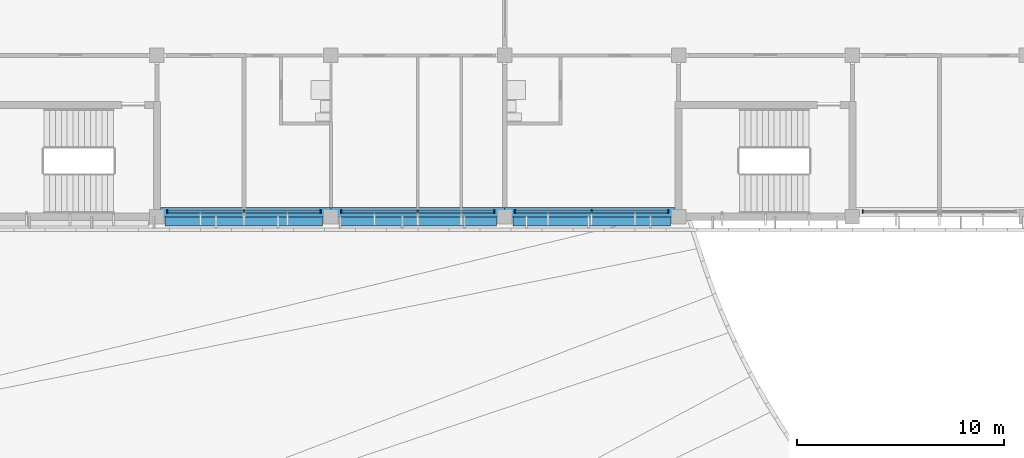
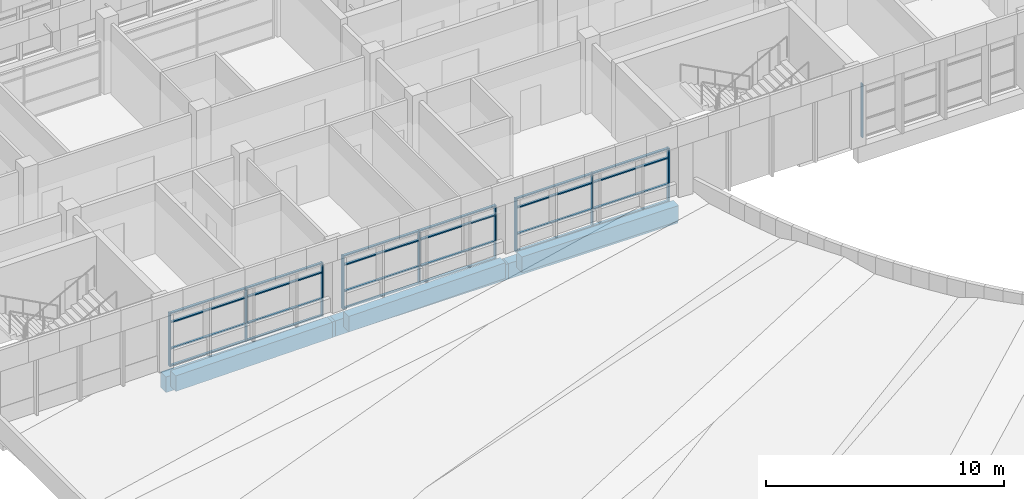
# One storey, part 2 of 74: 34 members, 6 beams, 4 elements without a shape of their own.
"""IFC4 building model written with IfcOpenShell, lengths in metres."""

from ifc_helpers import new_model, si_unit, direction, frame, origin, origin_2d, place, context, subcontext, project, spatial, rectangle, extrude, material, material_profile, profile_set, type_object, element, aggregate, save


model = new_model("IFC4")

# Units and contexts
model_context = context("Model", 3, precision=1e-05, world=origin(), true_north=direction((0.0, 1.0)))
body_context = subcontext(model_context, "Body", "Model", "MODEL_VIEW")
ifc_project = project(units=[si_unit("LENGTHUNIT", "METRE"), si_unit("AREAUNIT", "SQUARE_METRE"), si_unit("VOLUMEUNIT", "CUBIC_METRE"), si_unit("PLANEANGLEUNIT", "RADIAN"), si_unit("MASSUNIT", "GRAM", prefix="KILO")], contexts=[model_context])

# Site, building, storey
site_placement = place(None, origin())
site = spatial("IfcSite", under=ifc_project, at=site_placement, CompositionType="ELEMENT")
building_placement = place(site_placement, origin())
building = spatial("IfcBuilding", under=site, at=building_placement, Name="Bougainvillea Quay General Hospital", CompositionType="ELEMENT")
storey_placement = place(building_placement, frame((0.0, 0.0, 21.0)))
storey = spatial("IfcBuildingStorey", under=building, at=storey_placement, Name="L04", CompositionType="ELEMENT", Elevation=21.0)

# Curtain wall, members
ifc_material_1 = material(Name="Aluminium curtain wall system, powder-coated glazed", Category="aluminium")
curtain_wall_type = type_object("IfcCurtainWallType", Name="Unitised curtain wall CW-3730", PredefinedType="NOTDEFINED", material=ifc_material_1)
curtain_wall_1_placement = place(storey_placement, origin())
curtain_wall_1 = element("IfcCurtainWall", 1, at=curtain_wall_1_placement, inside=storey, type_object=curtain_wall_type, Name="CW-4200 00", PredefinedType="NOTDEFINED")
ifc_material_2 = material(Name="Aluminium mullion, powder-coated charcoal", Category="aluminium")
ifc_material_profile_1 = material_profile(ifc_material_2, rectangle(XDim=0.159912109375, YDim=0.06005859375, at=origin_2d()))
ifc_profile_set_1 = profile_set([ifc_material_profile_1], Name="Aluminium mullion, powder-coated charcoal")
member_type_1 = type_object("IfcMemberType", Name="Curtain wall mullion 160x60", PredefinedType="MULLION", material=ifc_profile_set_1)
member_1_placement = place(storey_placement, frame((50.89990234375, 117.85009765625, 0.0), z_axis=(0.0, 0.0, 1.0), x_axis=(0.0, 1.0, 0.0)))
member_1 = element("IfcMember", 2, at=member_1_placement, type_object=member_type_1, Name="CW-4200 mullion 1", PredefinedType="MULLION", context=body_context, shape_type="SweptSolid", body=[
    extrude(rectangle(XDim=0.159912109375, YDim=0.06005859375, at=origin_2d()), origin(), (0.0, 0.0, 1.0), 2.75),
])
member_2_placement = place(storey_placement, frame((54.60009765625, 117.85009765625, 0.0), z_axis=(0.0, 0.0, 1.0), x_axis=(0.0, 1.0, 0.0)))
member_2 = element("IfcMember", 3, at=member_2_placement, type_object=member_type_1, Name="CW-4200 mullion 2", PredefinedType="MULLION", context=body_context, shape_type="SweptSolid", body=[
    extrude(rectangle(XDim=0.159912109375, YDim=0.06005859375, at=origin_2d()), origin(), (0.0, 0.0, 1.0), 2.75),
])
member_3_placement = place(storey_placement, frame((58.300048828125, 117.85009765625, 0.0), z_axis=(0.0, 0.0, 1.0), x_axis=(0.0, 1.0, 0.0)))
member_3 = element("IfcMember", 4, at=member_3_placement, type_object=member_type_1, Name="CW-4200 mullion 3", PredefinedType="MULLION", context=body_context, shape_type="SweptSolid", body=[
    extrude(rectangle(XDim=0.159912109375, YDim=0.06005859375, at=origin_2d()), origin(), (0.0, 0.0, 1.0), 2.75),
])

curtain_wall_2_placement = place(storey_placement, origin())
curtain_wall_2 = element("IfcCurtainWall", 5, at=curtain_wall_2_placement, inside=storey, type_object=curtain_wall_type, Name="CW-4200 01", PredefinedType="NOTDEFINED")
member_4_placement = place(storey_placement, frame((59.300048828125, 117.85009765625, 0.0), z_axis=(0.0, 0.0, 1.0), x_axis=(0.0, 1.0, 0.0)))
member_4 = element("IfcMember", 6, at=member_4_placement, type_object=member_type_1, Name="CW-4200 mullion 1", PredefinedType="MULLION", context=body_context, shape_type="SweptSolid", body=[
    extrude(rectangle(XDim=0.159912109375, YDim=0.06005859375, at=origin_2d()), origin(), (0.0, 0.0, 1.0), 2.75),
])
member_5_placement = place(storey_placement, frame((63.0, 117.85009765625, 0.0), z_axis=(0.0, 0.0, 1.0), x_axis=(0.0, 1.0, 0.0)))
member_5 = element("IfcMember", 7, at=member_5_placement, type_object=member_type_1, Name="CW-4200 mullion 2", PredefinedType="MULLION", context=body_context, shape_type="SweptSolid", body=[
    extrude(rectangle(XDim=0.159912109375, YDim=0.06005859375, at=origin_2d()), origin(), (0.0, 0.0, 1.0), 2.75),
])
member_6_placement = place(storey_placement, frame((66.699951171875, 117.85009765625, 0.0), z_axis=(0.0, 0.0, 1.0), x_axis=(0.0, 1.0, 0.0)))
member_6 = element("IfcMember", 8, at=member_6_placement, type_object=member_type_1, Name="CW-4200 mullion 3", PredefinedType="MULLION", context=body_context, shape_type="SweptSolid", body=[
    extrude(rectangle(XDim=0.159912109375, YDim=0.06005859375, at=origin_2d()), origin(), (0.0, 0.0, 1.0), 2.75),
])

curtain_wall_3_placement = place(storey_placement, origin())
curtain_wall_3 = element("IfcCurtainWall", 9, at=curtain_wall_3_placement, inside=storey, type_object=curtain_wall_type, Name="CW-4200 02", PredefinedType="NOTDEFINED")
member_7_placement = place(storey_placement, frame((67.699951171875, 117.85009765625, 0.0), z_axis=(0.0, 0.0, 1.0), x_axis=(0.0, 1.0, 0.0)))
member_7 = element("IfcMember", 10, at=member_7_placement, type_object=member_type_1, Name="CW-4200 mullion 1", PredefinedType="MULLION", context=body_context, shape_type="SweptSolid", body=[
    extrude(rectangle(XDim=0.159912109375, YDim=0.06005859375, at=origin_2d()), origin(), (0.0, 0.0, 1.0), 2.75),
])
member_8_placement = place(storey_placement, frame((71.39990234375, 117.85009765625, 0.0), z_axis=(0.0, 0.0, 1.0), x_axis=(0.0, 1.0, 0.0)))
member_8 = element("IfcMember", 11, at=member_8_placement, type_object=member_type_1, Name="CW-4200 mullion 2", PredefinedType="MULLION", context=body_context, shape_type="SweptSolid", body=[
    extrude(rectangle(XDim=0.159912109375, YDim=0.06005859375, at=origin_2d()), origin(), (0.0, 0.0, 1.0), 2.75),
])
member_9_placement = place(storey_placement, frame((75.10009765625, 117.85009765625, 0.0), z_axis=(0.0, 0.0, 1.0), x_axis=(0.0, 1.0, 0.0)))
member_9 = element("IfcMember", 12, at=member_9_placement, type_object=member_type_1, Name="CW-4200 mullion 3", PredefinedType="MULLION", context=body_context, shape_type="SweptSolid", body=[
    extrude(rectangle(XDim=0.159912109375, YDim=0.06005859375, at=origin_2d()), origin(), (0.0, 0.0, 1.0), 2.75),
])

# Curtain wall, member
curtain_wall_4_placement = place(storey_placement, origin())
curtain_wall_4 = element("IfcCurtainWall", 13, at=curtain_wall_4_placement, inside=storey, type_object=curtain_wall_type, Name="CW-4200 03", PredefinedType="NOTDEFINED")
member_10_placement = place(storey_placement, frame((84.5, 117.85009765625, 0.0), z_axis=(0.0, 0.0, 1.0), x_axis=(0.0, 1.0, 0.0)))
member_10 = element("IfcMember", 14, at=member_10_placement, type_object=member_type_1, Name="CW-4200 mullion 1", PredefinedType="MULLION", context=body_context, shape_type="SweptSolid", body=[
    extrude(rectangle(XDim=0.159912109375, YDim=0.06005859375, at=origin_2d()), origin(), (0.0, 0.0, 1.0), 2.75),
])
aggregate(curtain_wall_4, [member_10])

# Member
ifc_material_3 = material(Name="Aluminium transom, powder-coated charcoal", Category="aluminium")
ifc_material_profile_2 = material_profile(ifc_material_3, rectangle(XDim=0.1201171875, YDim=0.06005859375, at=origin_2d()))
ifc_profile_set_2 = profile_set([ifc_material_profile_2], Name="Aluminium transom, powder-coated charcoal")
member_type_2 = type_object("IfcMemberType", Name="Curtain wall transom 120x60", PredefinedType="USERDEFINED", material=ifc_profile_set_2)
member_11_placement = place(storey_placement, frame((50.929931640625, 117.85009765625, 0.030029296875), z_axis=(1.0, 0.0, 0.0), x_axis=(0.0, 1.0, 0.0)))
member_11 = element("IfcMember", 15, at=member_11_placement, type_object=member_type_2, Name="CW-4200 transom 1.1", ObjectType="TRANSOM", PredefinedType="USERDEFINED", context=body_context, shape_type="SweptSolid", body=[
    extrude(rectangle(XDim=0.1201171875, YDim=0.06005859375, at=origin_2d()), origin(), (0.0, 0.0, 1.0), 3.64013671875),
])

member_12_placement = place(storey_placement, frame((50.929931640625, 117.85009765625, 0.89990234375), z_axis=(1.0, 0.0, 0.0), x_axis=(0.0, 1.0, 0.0)))
member_12 = element("IfcMember", 16, at=member_12_placement, type_object=member_type_2, Name="CW-4200 transom 1.2", ObjectType="TRANSOM", PredefinedType="USERDEFINED", context=body_context, shape_type="SweptSolid", body=[
    extrude(rectangle(XDim=0.1201171875, YDim=0.06005859375, at=origin_2d()), origin(), (0.0, 0.0, 1.0), 3.64013671875),
])

member_13_placement = place(storey_placement, frame((50.929931640625, 117.85009765625, 2.25), z_axis=(1.0, 0.0, 0.0), x_axis=(0.0, 1.0, 0.0)))
member_13 = element("IfcMember", 17, at=member_13_placement, type_object=member_type_2, Name="CW-4200 transom 1.3", ObjectType="TRANSOM", PredefinedType="USERDEFINED", context=body_context, shape_type="SweptSolid", body=[
    extrude(rectangle(XDim=0.1201171875, YDim=0.06005859375, at=origin_2d()), origin(), (0.0, 0.0, 1.0), 3.64013671875),
])

member_14_placement = place(storey_placement, frame((50.929931640625, 117.85009765625, 2.719970703125), z_axis=(1.0, 0.0, 0.0), x_axis=(0.0, 1.0, 0.0)))
member_14 = element("IfcMember", 18, at=member_14_placement, type_object=member_type_2, Name="CW-4200 transom 1.4", ObjectType="TRANSOM", PredefinedType="USERDEFINED", context=body_context, shape_type="SweptSolid", body=[
    extrude(rectangle(XDim=0.1201171875, YDim=0.06005859375, at=origin_2d()), origin(), (0.0, 0.0, 1.0), 3.64013671875),
])

member_15_placement = place(storey_placement, frame((54.6298828125, 117.85009765625, 0.030029296875), z_axis=(1.0, 0.0, 0.0), x_axis=(0.0, 1.0, 0.0)))
member_15 = element("IfcMember", 19, at=member_15_placement, type_object=member_type_2, Name="CW-4200 transom 2.1", ObjectType="TRANSOM", PredefinedType="USERDEFINED", context=body_context, shape_type="SweptSolid", body=[
    extrude(rectangle(XDim=0.1201171875, YDim=0.06005859375, at=origin_2d()), origin(), (0.0, 0.0, 1.0), 3.64013671875),
])

member_16_placement = place(storey_placement, frame((54.6298828125, 117.85009765625, 0.89990234375), z_axis=(1.0, 0.0, 0.0), x_axis=(0.0, 1.0, 0.0)))
member_16 = element("IfcMember", 20, at=member_16_placement, type_object=member_type_2, Name="CW-4200 transom 2.2", ObjectType="TRANSOM", PredefinedType="USERDEFINED", context=body_context, shape_type="SweptSolid", body=[
    extrude(rectangle(XDim=0.1201171875, YDim=0.06005859375, at=origin_2d()), origin(), (0.0, 0.0, 1.0), 3.64013671875),
])

member_17_placement = place(storey_placement, frame((54.6298828125, 117.85009765625, 2.25), z_axis=(1.0, 0.0, 0.0), x_axis=(0.0, 1.0, 0.0)))
member_17 = element("IfcMember", 21, at=member_17_placement, type_object=member_type_2, Name="CW-4200 transom 2.3", ObjectType="TRANSOM", PredefinedType="USERDEFINED", context=body_context, shape_type="SweptSolid", body=[
    extrude(rectangle(XDim=0.1201171875, YDim=0.06005859375, at=origin_2d()), origin(), (0.0, 0.0, 1.0), 3.64013671875),
])

member_18_placement = place(storey_placement, frame((54.6298828125, 117.85009765625, 2.719970703125), z_axis=(1.0, 0.0, 0.0), x_axis=(0.0, 1.0, 0.0)))
member_18 = element("IfcMember", 22, at=member_18_placement, type_object=member_type_2, Name="CW-4200 transom 2.4", ObjectType="TRANSOM", PredefinedType="USERDEFINED", context=body_context, shape_type="SweptSolid", body=[
    extrude(rectangle(XDim=0.1201171875, YDim=0.06005859375, at=origin_2d()), origin(), (0.0, 0.0, 1.0), 3.64013671875),
])

aggregate(curtain_wall_1, [member_1, member_2, member_3, member_11, member_12, member_13, member_14, member_15, member_16, member_17, member_18])

member_19_placement = place(storey_placement, frame((59.330078125, 117.85009765625, 0.030029296875), z_axis=(1.0, 0.0, 0.0), x_axis=(0.0, 1.0, 0.0)))
member_19 = element("IfcMember", 23, at=member_19_placement, type_object=member_type_2, Name="CW-4200 transom 1.1", ObjectType="TRANSOM", PredefinedType="USERDEFINED", context=body_context, shape_type="SweptSolid", body=[
    extrude(rectangle(XDim=0.1201171875, YDim=0.06005859375, at=origin_2d()), origin(), (0.0, 0.0, 1.0), 3.639892578125),
])

member_20_placement = place(storey_placement, frame((59.330078125, 117.85009765625, 0.89990234375), z_axis=(1.0, 0.0, 0.0), x_axis=(0.0, 1.0, 0.0)))
member_20 = element("IfcMember", 24, at=member_20_placement, type_object=member_type_2, Name="CW-4200 transom 1.2", ObjectType="TRANSOM", PredefinedType="USERDEFINED", context=body_context, shape_type="SweptSolid", body=[
    extrude(rectangle(XDim=0.1201171875, YDim=0.06005859375, at=origin_2d()), origin(), (0.0, 0.0, 1.0), 3.639892578125),
])

member_21_placement = place(storey_placement, frame((59.330078125, 117.85009765625, 2.25), z_axis=(1.0, 0.0, 0.0), x_axis=(0.0, 1.0, 0.0)))
member_21 = element("IfcMember", 25, at=member_21_placement, type_object=member_type_2, Name="CW-4200 transom 1.3", ObjectType="TRANSOM", PredefinedType="USERDEFINED", context=body_context, shape_type="SweptSolid", body=[
    extrude(rectangle(XDim=0.1201171875, YDim=0.06005859375, at=origin_2d()), origin(), (0.0, 0.0, 1.0), 3.639892578125),
])

member_22_placement = place(storey_placement, frame((59.330078125, 117.85009765625, 2.719970703125), z_axis=(1.0, 0.0, 0.0), x_axis=(0.0, 1.0, 0.0)))
member_22 = element("IfcMember", 26, at=member_22_placement, type_object=member_type_2, Name="CW-4200 transom 1.4", ObjectType="TRANSOM", PredefinedType="USERDEFINED", context=body_context, shape_type="SweptSolid", body=[
    extrude(rectangle(XDim=0.1201171875, YDim=0.06005859375, at=origin_2d()), origin(), (0.0, 0.0, 1.0), 3.639892578125),
])

member_23_placement = place(storey_placement, frame((63.030029296875, 117.85009765625, 0.030029296875), z_axis=(1.0, 0.0, 0.0), x_axis=(0.0, 1.0, 0.0)))
member_23 = element("IfcMember", 27, at=member_23_placement, type_object=member_type_2, Name="CW-4200 transom 2.1", ObjectType="TRANSOM", PredefinedType="USERDEFINED", context=body_context, shape_type="SweptSolid", body=[
    extrude(rectangle(XDim=0.1201171875, YDim=0.06005859375, at=origin_2d()), origin(), (0.0, 0.0, 1.0), 3.639892578125),
])

member_24_placement = place(storey_placement, frame((63.030029296875, 117.85009765625, 0.89990234375), z_axis=(1.0, 0.0, 0.0), x_axis=(0.0, 1.0, 0.0)))
member_24 = element("IfcMember", 28, at=member_24_placement, type_object=member_type_2, Name="CW-4200 transom 2.2", ObjectType="TRANSOM", PredefinedType="USERDEFINED", context=body_context, shape_type="SweptSolid", body=[
    extrude(rectangle(XDim=0.1201171875, YDim=0.06005859375, at=origin_2d()), origin(), (0.0, 0.0, 1.0), 3.639892578125),
])

member_25_placement = place(storey_placement, frame((63.030029296875, 117.85009765625, 2.25), z_axis=(1.0, 0.0, 0.0), x_axis=(0.0, 1.0, 0.0)))
member_25 = element("IfcMember", 29, at=member_25_placement, type_object=member_type_2, Name="CW-4200 transom 2.3", ObjectType="TRANSOM", PredefinedType="USERDEFINED", context=body_context, shape_type="SweptSolid", body=[
    extrude(rectangle(XDim=0.1201171875, YDim=0.06005859375, at=origin_2d()), origin(), (0.0, 0.0, 1.0), 3.639892578125),
])

member_26_placement = place(storey_placement, frame((63.030029296875, 117.85009765625, 2.719970703125), z_axis=(1.0, 0.0, 0.0), x_axis=(0.0, 1.0, 0.0)))
member_26 = element("IfcMember", 30, at=member_26_placement, type_object=member_type_2, Name="CW-4200 transom 2.4", ObjectType="TRANSOM", PredefinedType="USERDEFINED", context=body_context, shape_type="SweptSolid", body=[
    extrude(rectangle(XDim=0.1201171875, YDim=0.06005859375, at=origin_2d()), origin(), (0.0, 0.0, 1.0), 3.639892578125),
])

aggregate(curtain_wall_2, [member_4, member_5, member_6, member_19, member_20, member_21, member_22, member_23, member_24, member_25, member_26])

member_27_placement = place(storey_placement, frame((67.72998046875, 117.85009765625, 0.030029296875), z_axis=(1.0, 0.0, 0.0), x_axis=(0.0, 1.0, 0.0)))
member_27 = element("IfcMember", 31, at=member_27_placement, type_object=member_type_2, Name="CW-4200 transom 1.1", ObjectType="TRANSOM", PredefinedType="USERDEFINED", context=body_context, shape_type="SweptSolid", body=[
    extrude(rectangle(XDim=0.1201171875, YDim=0.06005859375, at=origin_2d()), origin(), (0.0, 0.0, 1.0), 3.64013671875),
])

member_28_placement = place(storey_placement, frame((67.72998046875, 117.85009765625, 0.89990234375), z_axis=(1.0, 0.0, 0.0), x_axis=(0.0, 1.0, 0.0)))
member_28 = element("IfcMember", 32, at=member_28_placement, type_object=member_type_2, Name="CW-4200 transom 1.2", ObjectType="TRANSOM", PredefinedType="USERDEFINED", context=body_context, shape_type="SweptSolid", body=[
    extrude(rectangle(XDim=0.1201171875, YDim=0.06005859375, at=origin_2d()), origin(), (0.0, 0.0, 1.0), 3.64013671875),
])

member_29_placement = place(storey_placement, frame((67.72998046875, 117.85009765625, 2.25), z_axis=(1.0, 0.0, 0.0), x_axis=(0.0, 1.0, 0.0)))
member_29 = element("IfcMember", 33, at=member_29_placement, type_object=member_type_2, Name="CW-4200 transom 1.3", ObjectType="TRANSOM", PredefinedType="USERDEFINED", context=body_context, shape_type="SweptSolid", body=[
    extrude(rectangle(XDim=0.1201171875, YDim=0.06005859375, at=origin_2d()), origin(), (0.0, 0.0, 1.0), 3.64013671875),
])

member_30_placement = place(storey_placement, frame((67.72998046875, 117.85009765625, 2.719970703125), z_axis=(1.0, 0.0, 0.0), x_axis=(0.0, 1.0, 0.0)))
member_30 = element("IfcMember", 34, at=member_30_placement, type_object=member_type_2, Name="CW-4200 transom 1.4", ObjectType="TRANSOM", PredefinedType="USERDEFINED", context=body_context, shape_type="SweptSolid", body=[
    extrude(rectangle(XDim=0.1201171875, YDim=0.06005859375, at=origin_2d()), origin(), (0.0, 0.0, 1.0), 3.64013671875),
])

member_31_placement = place(storey_placement, frame((71.429931640625, 117.85009765625, 0.030029296875), z_axis=(1.0, 0.0, 0.0), x_axis=(0.0, 1.0, 0.0)))
member_31 = element("IfcMember", 35, at=member_31_placement, type_object=member_type_2, Name="CW-4200 transom 2.1", ObjectType="TRANSOM", PredefinedType="USERDEFINED", context=body_context, shape_type="SweptSolid", body=[
    extrude(rectangle(XDim=0.1201171875, YDim=0.06005859375, at=origin_2d()), origin(), (0.0, 0.0, 1.0), 3.64013671875),
])

member_32_placement = place(storey_placement, frame((71.429931640625, 117.85009765625, 0.89990234375), z_axis=(1.0, 0.0, 0.0), x_axis=(0.0, 1.0, 0.0)))
member_32 = element("IfcMember", 36, at=member_32_placement, type_object=member_type_2, Name="CW-4200 transom 2.2", ObjectType="TRANSOM", PredefinedType="USERDEFINED", context=body_context, shape_type="SweptSolid", body=[
    extrude(rectangle(XDim=0.1201171875, YDim=0.06005859375, at=origin_2d()), origin(), (0.0, 0.0, 1.0), 3.64013671875),
])

member_33_placement = place(storey_placement, frame((71.429931640625, 117.85009765625, 2.25), z_axis=(1.0, 0.0, 0.0), x_axis=(0.0, 1.0, 0.0)))
member_33 = element("IfcMember", 37, at=member_33_placement, type_object=member_type_2, Name="CW-4200 transom 2.3", ObjectType="TRANSOM", PredefinedType="USERDEFINED", context=body_context, shape_type="SweptSolid", body=[
    extrude(rectangle(XDim=0.1201171875, YDim=0.06005859375, at=origin_2d()), origin(), (0.0, 0.0, 1.0), 3.64013671875),
])

member_34_placement = place(storey_placement, frame((71.429931640625, 117.85009765625, 2.719970703125), z_axis=(1.0, 0.0, 0.0), x_axis=(0.0, 1.0, 0.0)))
member_34 = element("IfcMember", 38, at=member_34_placement, type_object=member_type_2, Name="CW-4200 transom 2.4", ObjectType="TRANSOM", PredefinedType="USERDEFINED", context=body_context, shape_type="SweptSolid", body=[
    extrude(rectangle(XDim=0.1201171875, YDim=0.06005859375, at=origin_2d()), origin(), (0.0, 0.0, 1.0), 3.64013671875),
])

aggregate(curtain_wall_3, [member_7, member_8, member_9, member_27, member_28, member_29, member_30, member_31, member_32, member_33, member_34])

# Beams
ifc_material_4 = material(Name="Concrete C40", Category="concrete")
ifc_material_profile_3 = material_profile(ifc_material_4, rectangle(XDim=0.449951171875, YDim=0.800048828125, at=origin_2d()))
ifc_profile_set_3 = profile_set([ifc_material_profile_3], Name="Concrete C40")
beam_type = type_object("IfcBeamType", Name="RC BEAM 450x800 C40", PredefinedType="BEAM", material=ifc_profile_set_3)
beam_1_placement = place(storey_placement, frame((50.574951171875, 117.824951171875, -0.699951171875), z_axis=(1.0, 0.0, 0.0), x_axis=(0.0, 1.0, 0.0)))
element("IfcBeam", 39, at=beam_1_placement, inside=storey, type_object=beam_type, Name="Edge beam L04", PredefinedType="BEAM", context=body_context, shape_type="SweptSolid", body=[
    extrude(rectangle(XDim=0.449951171875, YDim=0.800048828125, at=origin_2d()), origin(), (0.0, 0.0, 1.0), 8.22509765625),
])
beam_2_placement = place(storey_placement, frame((58.800048828125, 117.824951171875, -0.699951171875), z_axis=(1.0, 0.0, 0.0), x_axis=(0.0, 1.0, 0.0)))
element("IfcBeam", 40, at=beam_2_placement, inside=storey, type_object=beam_type, Name="Edge beam L04", PredefinedType="BEAM", context=body_context, shape_type="SweptSolid", body=[
    extrude(rectangle(XDim=0.449951171875, YDim=0.800048828125, at=origin_2d()), origin(), (0.0, 0.0, 1.0), 8.39990234375),
])
beam_3_placement = place(storey_placement, frame((67.199951171875, 117.824951171875, -0.699951171875), z_axis=(1.0, 0.0, 0.0), x_axis=(0.0, 1.0, 0.0)))
element("IfcBeam", 41, at=beam_3_placement, inside=storey, type_object=beam_type, Name="Edge beam L04", PredefinedType="BEAM", context=body_context, shape_type="SweptSolid", body=[
    extrude(rectangle(XDim=0.449951171875, YDim=0.800048828125, at=origin_2d()), origin(), (0.0, 0.0, 1.0), 8.22509765625),
])
beam_4_placement = place(storey_placement, frame((50.800048828125, 117.375, -0.447998046875), z_axis=(0.999914117626, 0.0, 0.013105623695), x_axis=(0.0, 1.0, 0.0)))
element("IfcBeam", 42, at=beam_4_placement, inside=storey, type_object=beam_type, Name="Edge beam L04", PredefinedType="BEAM", context=body_context, shape_type="SweptSolid", body=[
    extrude(rectangle(XDim=0.449951171875, YDim=0.800048828125, at=origin_2d()), origin(), (0.0, 0.0, 1.0), 7.6005859375),
])
beam_5_placement = place(storey_placement, frame((59.199951171875, 117.375, -0.337890625), z_axis=(0.999914123143, 0.0, 0.01310520277), x_axis=(0.0, 1.0, 0.0)))
element("IfcBeam", 43, at=beam_5_placement, inside=storey, type_object=beam_type, Name="Edge beam L04", PredefinedType="BEAM", context=body_context, shape_type="SweptSolid", body=[
    extrude(rectangle(XDim=0.449951171875, YDim=0.800048828125, at=origin_2d()), origin(), (0.0, 0.0, 1.0), 7.600830078125),
])
beam_6_placement = place(storey_placement, frame((67.60009765625, 117.375, -0.227783203125), z_axis=(0.999998080014, 0.0, -0.001959583761), x_axis=(0.0, 1.0, 0.0)))
element("IfcBeam", 44, at=beam_6_placement, inside=storey, type_object=beam_type, Name="Edge beam L04", PredefinedType="BEAM", context=body_context, shape_type="SweptSolid", body=[
    extrude(rectangle(XDim=0.449951171875, YDim=0.800048828125, at=origin_2d()), origin(), (0.0, 0.0, 1.0), 7.599853515625),
])

save(model, "model.ifc")
